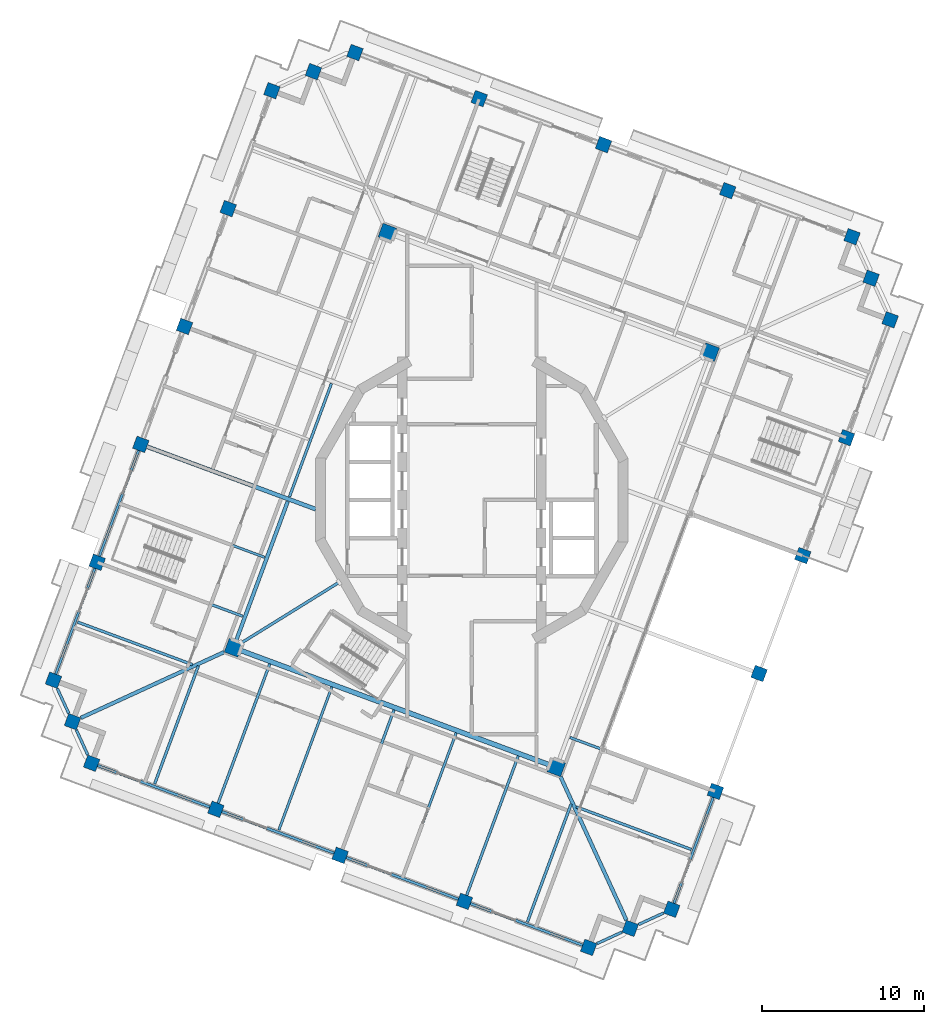
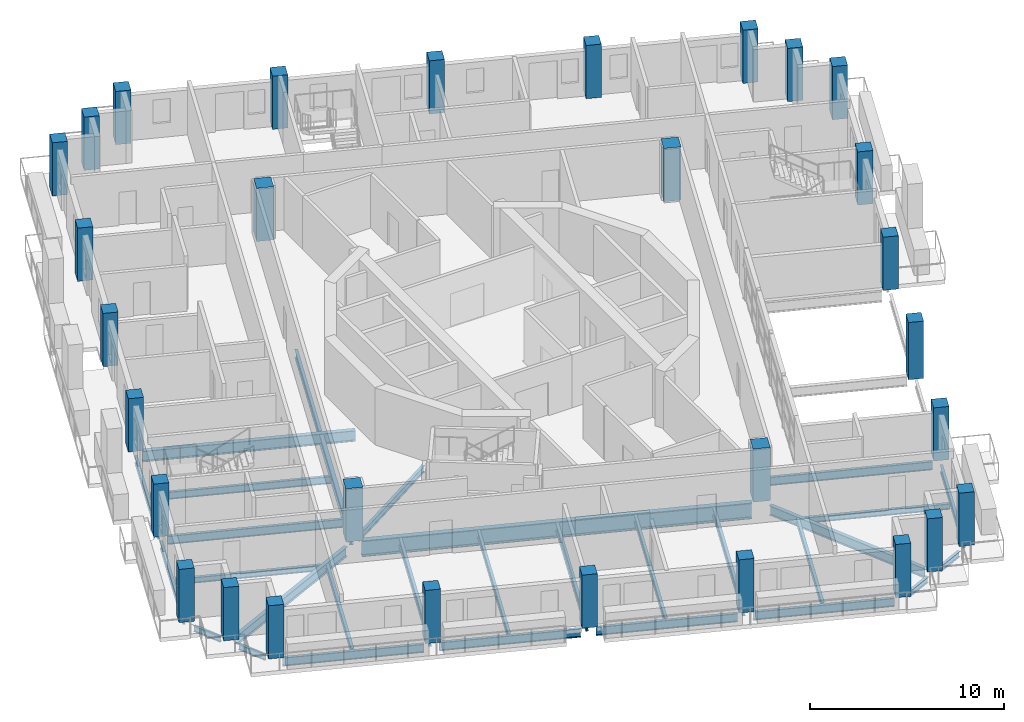
# One storey, part 1 of 19: 30 beams, 30 columns.
"""IFC4 building model written with IfcOpenShell, lengths in metres."""

from ifc_helpers import new_model, si_unit, direction, frame, origin, origin_2d, place, context, subcontext, project, spatial, rectangle, i_section, extrude, material, material_profile, profile_set, type_object, element, save


model = new_model("IFC4")

# Units and contexts
model_context = context("Model", 3, precision=1e-05, world=origin(), true_north=direction((0.0, 1.0)))
body_context = subcontext(model_context, "Body", "Model", "MODEL_VIEW")
ifc_project = project(units=[si_unit("LENGTHUNIT", "METRE"), si_unit("AREAUNIT", "SQUARE_METRE"), si_unit("VOLUMEUNIT", "CUBIC_METRE"), si_unit("PLANEANGLEUNIT", "RADIAN"), si_unit("MASSUNIT", "GRAM", prefix="KILO")], contexts=[model_context])

# Site, building, storey
site_placement = place(None, origin())
site = spatial("IfcSite", under=ifc_project, at=site_placement, CompositionType="ELEMENT")
building_placement = place(site_placement, origin())
building = spatial("IfcBuilding", under=site, at=building_placement, Name="Cantera Rosa Tower", CompositionType="ELEMENT")
storey_placement = place(building_placement, frame((0.0, 0.0, 334.89990234375)))
storey = spatial("IfcBuildingStorey", under=building, at=storey_placement, Name="L75", CompositionType="ELEMENT", Elevation=334.89990234375)

# Columns
ifc_material_1 = material(Name="Concrete C50/60", Category="concrete")
ifc_material_profile_1 = material_profile(ifc_material_1, rectangle(XDim=0.800048828125, YDim=0.800048828125, at=origin_2d()), Name="RC COLUMN RC800X800 C50/60")
ifc_profile_set_1 = profile_set([ifc_material_profile_1], Name="Concrete C50/60")
column_type_1 = type_object("IfcColumnType", Name="RC COLUMN RC800X800 C50/60", PredefinedType="COLUMN", material=ifc_profile_set_1)
for number, where, z_axis, x_axis, name in (
    (1, (23.526611328125, 16.2900390625, 0.0), (0.0, 0.0, 1.0), (0.347481234489, 0.937686936924, 0.0), "C-Z6-01 L75"),
    (2, (15.83740234375, 19.139404296875, 0.0), (0.0, 0.0, 1.0), (0.347481234489, 0.937686936924, 0.0), "C-Z6-02 L75"),
    (3, (8.1484375, 21.98876953125, 0.0), (0.0, 0.0, 1.0), (0.347481234489, 0.937686936924, 0.0), "C-Z6-03 L75"),
    (4, (0.45947265625, 24.838134765625, 0.0), (0.0, 0.0, 1.0), (0.347481234489, 0.937686936924, 0.0), "C-Z6-04 L75"),
    (5, (-7.229736328125, 27.6875, 0.0), (0.0, 0.0, 1.0), (0.347481234489, 0.937686936924, 0.0), "C-Z6-05 L75"),
    (6, (-9.800048828125, 26.507080078125, 0.0), (0.0, 0.0, 1.0), (0.347481234489, 0.937686936924, 0.0), "C-Z6-06 L75"),
    (7, (-12.370361328125, 25.32666015625, 0.0), (0.0, 0.0, 1.0), (0.347481234489, 0.937686936924, 0.0), "C-Z6-07 L75"),
    (8, (-15.07373046875, 18.031494140625, 0.0), (0.0, 0.0, 1.0), (0.347481234489, 0.937686936924, 0.0), "C-Z6-08 L75"),
    (9, (-17.777099609375, 10.736328125, 0.0), (0.0, 0.0, 1.0), (0.347481234489, 0.937686936924, 0.0), "C-Z6-09 L75"),
    (10, (-20.48046875, 3.44091796875, 0.0), (0.0, 0.0, 1.0), (0.347481234489, 0.937686936924, 0.0), "C-Z6-10 L75"),
    (11, (-23.183837890625, -3.854248046875, 0.0), (0.0, 0.0, 1.0), (0.347481234489, 0.937686936924, 0.0), "C-Z6-11 L75"),
    (12, (-25.88720703125, -11.1494140625, 0.0), (0.0, 0.0, 1.0), (0.347481234489, 0.937686936924, 0.0), "C-Z6-12 L75"),
    (13, (-24.70703125, -13.7197265625, 0.0), (0.0, 0.0, 1.0), (0.347481234489, 0.937686936924, 0.0), "C-Z6-13 L75"),
    (14, (-23.526611328125, -16.2900390625, 0.0), (0.0, 0.0, 1.0), (0.347481234489, 0.937686936924, 0.0), "C-Z6-14 L75"),
    (15, (-15.83740234375, -19.139404296875, 0.0), (0.0, 0.0, 1.0), (0.347481234489, 0.937686936924, 0.0), "C-Z6-15 L75"),
    (16, (-8.1484375, -21.98876953125, 0.0), (0.0, 0.0, 1.0), (0.347481234489, 0.937686936924, 0.0), "C-Z6-16 L75"),
    (17, (-0.45947265625, -24.838134765625, 0.0), (0.0, 0.0, 1.0), (0.347481234489, 0.937686936924, 0.0), "C-Z6-17 L75"),
    (18, (7.229736328125, -27.6875, 0.0), (0.0, 0.0, 1.0), (0.347481234489, 0.937686936924, 0.0), "C-Z6-18 L75"),
    (19, (9.800048828125, -26.507080078125, 0.0), (0.0, 0.0, 1.0), (0.347481234489, 0.937686936924, 0.0), "C-Z6-19 L75"),
    (20, (12.370361328125, -25.32666015625, 0.0), (0.0, 0.0, 1.0), (0.347481234489, 0.937686936924, 0.0), "C-Z6-20 L75"),
    (21, (15.07373046875, -18.031494140625, 0.0), (0.0, 0.0, 1.0), (0.347481234489, 0.937686936924, 0.0), "C-Z6-21 L75"),
):
    element("IfcColumn", number, at=place(storey_placement, frame(where, z_axis=z_axis, x_axis=x_axis)), inside=storey, type_object=column_type_1, Name=name, PredefinedType="COLUMN", context=body_context, shape_type="SweptSolid", body=[
        extrude(rectangle(XDim=0.800048828125, YDim=0.800048828125, at=origin_2d()), origin(), (0.0, 0.0, 1.0), 3.35009765625),
    ])
column_placement = place(storey_placement, frame((17.777099609375, -10.736328125, -0.25), z_axis=(0.0, 0.0, 1.0), x_axis=(0.347481234489, 0.937686936924, 0.0)))
element("IfcColumn", 22, at=column_placement, inside=storey, type_object=column_type_1, Name="C-Z6-22 L75", PredefinedType="COLUMN", context=body_context, shape_type="SweptSolid", body=[
    extrude(rectangle(XDim=0.800048828125, YDim=0.800048828125, at=origin_2d()), origin(), (0.0, 0.0, 1.0), 3.60009765625),
])
for number, where, z_axis, x_axis, name in (
    (23, (20.48046875, -3.44091796875, 0.0), (0.0, 0.0, 1.0), (0.347481234489, 0.937686936924, 0.0), "C-Z6-23 L75"),
    (24, (23.183837890625, 3.854248046875, 0.0), (0.0, 0.0, 1.0), (0.347481234489, 0.937686936924, 0.0), "C-Z6-24 L75"),
    (25, (25.88720703125, 11.1494140625, 0.0), (0.0, 0.0, 1.0), (0.347481234489, 0.937686936924, 0.0), "C-Z6-25 L75"),
    (26, (24.70703125, 13.7197265625, 0.0), (0.0, 0.0, 1.0), (0.347481234489, 0.937686936924, 0.0), "C-Z6-26 L75"),
):
    element("IfcColumn", number, at=place(storey_placement, frame(where, z_axis=z_axis, x_axis=x_axis)), inside=storey, type_object=column_type_1, Name=name, PredefinedType="COLUMN", context=body_context, shape_type="SweptSolid", body=[
        extrude(rectangle(XDim=0.800048828125, YDim=0.800048828125, at=origin_2d()), origin(), (0.0, 0.0, 1.0), 3.35009765625),
    ])
ifc_material_2 = material(Name="Concrete C50/60", Category="concrete")
ifc_material_profile_2 = material_profile(ifc_material_2, rectangle(XDim=0.89990234375, YDim=0.89990234375, at=origin_2d()), Name="RC RING COLUMN RC900X900 C50/60")
ifc_profile_set_2 = profile_set([ifc_material_profile_2], Name="Concrete C50/60")
column_type_2 = type_object("IfcColumnType", Name="RC RING COLUMN RC900X900 C50/60", PredefinedType="COLUMN", material=ifc_profile_set_2)
for number, where, z_axis, x_axis, name in (
    (27, (-5.225830078125, 16.546875, 0.0), (0.0, 0.0, 1.0), (0.347481234489, 0.937686936924, 0.0), "CI-Z6-1 L75"),
    (28, (-14.746826171875, -9.145751953125, 0.0), (0.0, 0.0, 1.0), (0.347481234489, 0.937686936924, 0.0), "CI-Z6-2 L75"),
    (29, (5.225830078125, -16.546875, 0.0), (0.0, 0.0, 1.0), (0.347481234489, 0.937686936924, 0.0), "CI-Z6-3 L75"),
    (30, (14.746826171875, 9.145751953125, 0.0), (0.0, 0.0, 1.0), (0.347481234489, 0.937686936924, 0.0), "CI-Z6-4 L75"),
):
    element("IfcColumn", number, at=place(storey_placement, frame(where, z_axis=z_axis, x_axis=x_axis)), inside=storey, type_object=column_type_2, Name=name, PredefinedType="COLUMN", context=body_context, shape_type="SweptSolid", body=[
        extrude(rectangle(XDim=0.89990234375, YDim=0.89990234375, at=origin_2d()), origin(), (0.0, 0.0, 1.0), 3.35009765625),
    ])

# Beams
ifc_material_3 = material(Name="Steel ASTM A992 (Fy 345 MPa)", Category="steel")
ifc_material_profile_3 = material_profile(ifc_material_3, i_section(OverallWidth=0.302001953125, OverallDepth=1.010009765625, WebThickness=0.02099609375, FlangeThickness=0.0400390625, FilletRadius=0.030029296875, at=origin_2d()), Name="W1000X350")
ifc_profile_set_3 = profile_set([ifc_material_profile_3], Name="Steel ASTM A992 (Fy 345 MPa)")
beam_type_1 = type_object("IfcBeamType", Name="STEEL BEAM W1000X350", PredefinedType="BEAM", material=ifc_profile_set_3)
beam_1_placement = place(storey_placement, frame((4.803955078125, -16.390625, -0.7548828125), z_axis=(-0.937687392162, 0.347480006017, 0.0), x_axis=(-0.347480006017, -0.937687392162, 0.0)))
element("IfcBeam", 31, at=beam_1_placement, inside=storey, type_object=beam_type_1, Name="RB-Z6-08 L75", PredefinedType="BEAM", context=body_context, shape_type="SweptSolid", body=[
    extrude(i_section(OverallWidth=0.302001953125, OverallDepth=1.010009765625, WebThickness=0.02099609375, FlangeThickness=0.0400390625, FilletRadius=0.030029296875, at=origin_2d()), origin(), (0.0, 0.0, 1.0), 20.400146484375),
])
ifc_material_4 = material(Name="Steel ASTM A992 (Fy 345 MPa)", Category="steel")
ifc_material_profile_4 = material_profile(ifc_material_4, i_section(OverallWidth=0.177978515625, OverallDepth=0.406005859375, WebThickness=0.0078125, FlangeThickness=0.0126953125, FilletRadius=0.01025390625, at=origin_2d()), Name="W410X60")
ifc_profile_set_4 = profile_set([ifc_material_profile_4], Name="Steel ASTM A992 (Fy 345 MPa)")
beam_type_2 = type_object("IfcBeamType", Name="STEEL BEAM W410X60", PredefinedType="BEAM", material=ifc_profile_set_4)
beam_2_placement = place(storey_placement, frame((-14.262451171875, -8.84521484375, -0.452880859375), z_axis=(0.849840939707, 0.527039255841, 0.0), x_axis=(-0.527039255841, 0.849840939707, 0.0)))
element("IfcBeam", 32, at=beam_2_placement, inside=storey, type_object=beam_type_2, Name="PG-Z6-01 L75", PredefinedType="BEAM", context=body_context, shape_type="SweptSolid", body=[
    extrude(i_section(OverallWidth=0.177978515625, OverallDepth=0.406005859375, WebThickness=0.0078125, FlangeThickness=0.0126953125, FilletRadius=0.01025390625, at=origin_2d()), origin(), (0.0, 0.0, 1.0), 7.118408203125),
])
ifc_material_5 = material(Name="Steel ASTM A992 (Fy 345 MPa)", Category="steel")
ifc_material_profile_5 = material_profile(ifc_material_5, i_section(OverallWidth=0.166015625, OverallDepth=0.528076171875, WebThickness=0.009765625, FlangeThickness=0.013671875, FilletRadius=0.0126953125, at=origin_2d()), Name="W530X74")
ifc_profile_set_5 = profile_set([ifc_material_profile_5], Name="Steel ASTM A992 (Fy 345 MPa)")
beam_type_3 = type_object("IfcBeamType", Name="STEEL BEAM W530X74", PredefinedType="BEAM", material=ifc_profile_set_5)
for number, where, z_axis, x_axis, name in (
    (33, (-22.808837890625, -3.9931640625, -0.513916015625), (0.937688566, -0.347476838353, 0.0), (0.347476838353, 0.937688566, 0.0), "G-Z6-07 L75"),
    (34, (14.69873046875, -17.892333984375, -0.513916015625), (-0.937688566, 0.347476838353, 0.0), (-0.347476838353, -0.937688566, 0.0), "G-Z6-08 L75"),
    (35, (-15.698486328125, -18.764404296875, -0.513916015625), (0.347476838353, 0.937688566, 0.0), (-0.937688566, 0.347476838353, 0.0), "G-Z6-12 L75"),
    (36, (-8.009521484375, -21.61376953125, -0.513916015625), (0.34750017104, 0.937679919337, 0.0), (-0.937679919337, 0.34750017104, 0.0), "G-Z6-13 L75"),
    (37, (-0.3203125, -24.463134765625, -0.513916015625), (0.347476838353, 0.937688566, 0.0), (-0.937688566, 0.347476838353, 0.0), "G-Z6-14 L75"),
):
    element("IfcBeam", number, at=place(storey_placement, frame(where, z_axis=z_axis, x_axis=x_axis)), inside=storey, type_object=beam_type_3, Name=name, PredefinedType="BEAM", context=body_context, shape_type="SweptSolid", body=[
        extrude(i_section(OverallWidth=0.166015625, OverallDepth=0.528076171875, WebThickness=0.009765625, FlangeThickness=0.013671875, FilletRadius=0.0126953125, at=origin_2d()), origin(), (0.0, 0.0, 1.0), 9.199951171875),
    ])
beam_3_placement = place(storey_placement, frame((-11.285888671875, 0.19384765625, -0.513916015625), z_axis=(0.347486566882, 0.937684960867, 0.0), x_axis=(-0.937684960867, 0.347486566882, 0.0)))
element("IfcBeam", 38, at=beam_3_placement, inside=storey, type_object=beam_type_3, Name="RB-Z6-02 L75", PredefinedType="BEAM", context=body_context, shape_type="SweptSolid", body=[
    extrude(i_section(OverallWidth=0.166015625, OverallDepth=0.528076171875, WebThickness=0.009765625, FlangeThickness=0.013671875, FilletRadius=0.0126953125, at=origin_2d()), origin(), (0.0, 0.0, 1.0), 7.479736328125),
])
ifc_material_6 = material(Name="Steel ASTM A992 (Fy 345 MPa)", Category="steel")
ifc_material_profile_6 = material_profile(ifc_material_6, i_section(OverallWidth=0.22802734375, OverallDepth=0.60205078125, WebThickness=0.010498046875, FlangeThickness=0.014892578125, FilletRadius=0.0126953125, at=origin_2d()), Name="W610X101")
ifc_profile_set_6 = profile_set([ifc_material_profile_6], Name="Steel ASTM A992 (Fy 345 MPa)")
beam_type_4 = type_object("IfcBeamType", Name="STEEL BEAM W610X101", PredefinedType="BEAM", material=ifc_profile_set_6)
for number, where, z_axis, x_axis, name in (
    (39, (-24.19287109375, -13.483642578125, -0.55078125), (0.908747889595, 0.417345508131, 0.0), (-0.417345508131, 0.908747889595, 0.0), "CB-Z6-02 L75"),
    (40, (9.56396484375, -25.992919921875, -0.55078125), (-0.417345508131, 0.908747889595, 0.0), (-0.908747889595, -0.417345508131, 0.0), "CB-Z6-03 L75"),
):
    element("IfcBeam", number, at=place(storey_placement, frame(where, z_axis=z_axis, x_axis=x_axis)), inside=storey, type_object=beam_type_4, Name=name, PredefinedType="BEAM", context=body_context, shape_type="SweptSolid", body=[
        extrude(i_section(OverallWidth=0.22802734375, OverallDepth=0.60205078125, WebThickness=0.010498046875, FlangeThickness=0.014892578125, FilletRadius=0.0126953125, at=origin_2d()), origin(), (0.0, 0.0, 1.0), 9.758056640625),
    ])
beam_4_placement = place(storey_placement, frame((-14.590576171875, -8.7236328125, -0.55078125), z_axis=(0.347498244979, 0.937680633125, 0.0), x_axis=(-0.937680633125, 0.347498244979, 0.0)))
element("IfcBeam", 41, at=beam_4_placement, inside=storey, type_object=beam_type_4, Name="RB-Z6-01 L75", PredefinedType="BEAM", context=body_context, shape_type="SweptSolid", body=[
    extrude(i_section(OverallWidth=0.22802734375, OverallDepth=0.60205078125, WebThickness=0.010498046875, FlangeThickness=0.014892578125, FilletRadius=0.0126953125, at=origin_2d()), origin(), (0.0, 0.0, 1.0), 9.2099609375),
])
ifc_material_7 = material(Name="Steel ASTM A992 (Fy 345 MPa)", Category="steel")
ifc_material_profile_7 = material_profile(ifc_material_7, i_section(OverallWidth=0.25390625, OverallDepth=0.677978515625, WebThickness=0.01171875, FlangeThickness=0.016357421875, FilletRadius=0.01513671875, at=origin_2d()), Name="W690X125")
ifc_profile_set_7 = profile_set([ifc_material_profile_7], Name="Steel ASTM A992 (Fy 345 MPa)")
beam_type_5 = type_object("IfcBeamType", Name="STEEL BEAM W690X125", PredefinedType="BEAM", material=ifc_profile_set_7)
beam_5_placement = place(storey_placement, frame((-20.10546875, 3.302001953125, -0.5888671875), z_axis=(0.937687416585, -0.347479940109, 0.0), x_axis=(0.347479940109, 0.937687416585, 0.0)))
element("IfcBeam", 42, at=beam_5_placement, inside=storey, type_object=beam_type_5, Name="G-Z6-06 L75", PredefinedType="BEAM", context=body_context, shape_type="SweptSolid", body=[
    extrude(i_section(OverallWidth=0.25390625, OverallDepth=0.677978515625, WebThickness=0.01171875, FlangeThickness=0.016357421875, FilletRadius=0.01513671875, at=origin_2d()), origin(), (0.0, 0.0, 1.0), 11.140380859375),
])
ifc_material_8 = material(Name="Steel ASTM A992 (Fy 345 MPa)", Category="steel")
ifc_material_profile_8 = material_profile(ifc_material_8, i_section(OverallWidth=0.1708984375, OverallDepth=0.35595703125, WebThickness=0.00732421875, FlangeThickness=0.01171875, FilletRadius=0.010009765625, at=origin_2d()), Name="W360X51")
ifc_profile_set_8 = profile_set([ifc_material_profile_8], Name="Steel ASTM A992 (Fy 345 MPa)")
beam_type_6 = type_object("IfcBeamType", Name="STEEL JOIST W360X51", PredefinedType="JOIST", material=ifc_profile_set_8)
beam_6_placement = place(storey_placement, frame((-24.39501953125, -7.553955078125, -0.427978515625), z_axis=(0.937686277131, -0.347483014951, 0.0), x_axis=(0.347483014951, 0.937686277131, 0.0)))
element("IfcBeam", 43, at=beam_6_placement, inside=storey, type_object=beam_type_6, Name="B-Z6-09 L75", PredefinedType="JOIST", context=body_context, shape_type="SweptSolid", body=[
    extrude(i_section(OverallWidth=0.1708984375, OverallDepth=0.35595703125, WebThickness=0.00732421875, FlangeThickness=0.01171875, FilletRadius=0.010009765625, at=origin_2d()), origin(), (0.0, 0.0, 1.0), 7.590087890625),
])
beam_7_placement = place(storey_placement, frame((13.581298828125, -21.626953125, -0.427978515625), z_axis=(-0.93768239316, 0.347493495705, 0.0), x_axis=(-0.347493495705, -0.93768239316, 0.0)))
element("IfcBeam", 44, at=beam_7_placement, inside=storey, type_object=beam_type_6, Name="B-Z6-10 L75", PredefinedType="JOIST", context=body_context, shape_type="SweptSolid", body=[
    extrude(i_section(OverallWidth=0.1708984375, OverallDepth=0.35595703125, WebThickness=0.00732421875, FlangeThickness=0.01171875, FilletRadius=0.010009765625, at=origin_2d()), origin(), (0.0, 0.0, 1.0), 7.58984375),
])
for number, where, z_axis, x_axis, name in (
    (45, (-19.6298828125, -17.573974609375, -0.427978515625), (0.347491728417, 0.937683048093, 0.0), (-0.937683048093, 0.347491728417, 0.0), "B-Z6-15 L75"),
    (46, (3.437255859375, -26.1220703125, -0.427978515625), (0.347491728417, 0.937683048093, 0.0), (-0.937683048093, 0.347491728417, 0.0), "B-Z6-18 L75"),
):
    element("IfcBeam", number, at=place(storey_placement, frame(where, z_axis=z_axis, x_axis=x_axis)), inside=storey, type_object=beam_type_6, Name=name, PredefinedType="JOIST", context=body_context, shape_type="SweptSolid", body=[
        extrude(i_section(OverallWidth=0.1708984375, OverallDepth=0.35595703125, WebThickness=0.00732421875, FlangeThickness=0.01171875, FilletRadius=0.010009765625, at=origin_2d()), origin(), (0.0, 0.0, 1.0), 7.800048828125),
    ])
ifc_material_9 = material(Name="Steel ASTM A992 (Fy 345 MPa)", Category="steel")
ifc_material_profile_9 = material_profile(ifc_material_9, i_section(OverallWidth=0.154052734375, OverallDepth=0.4599609375, WebThickness=0.009033203125, FlangeThickness=0.015380859375, FilletRadius=0.01025390625, at=origin_2d()), Name="W460X68")
ifc_profile_set_9 = profile_set([ifc_material_profile_9], Name="Steel ASTM A992 (Fy 345 MPa)")
beam_type_7 = type_object("IfcBeamType", Name="STEEL JOIST W460X68", PredefinedType="JOIST", material=ifc_profile_set_9)
beam_8_placement = place(storey_placement, frame((-21.691650390625, -0.2587890625, -0.47998046875), z_axis=(0.937689536508, -0.347474219364, 0.0), x_axis=(0.347474219364, 0.937689536508, 0.0)))
element("IfcBeam", 47, at=beam_8_placement, inside=storey, type_object=beam_type_7, Name="B-Z6-08 L75", PredefinedType="JOIST", context=body_context, shape_type="SweptSolid", body=[
    extrude(i_section(OverallWidth=0.154052734375, OverallDepth=0.4599609375, WebThickness=0.009033203125, FlangeThickness=0.015380859375, FilletRadius=0.01025390625, at=origin_2d()), origin(), (0.0, 0.0, 1.0), 9.4501953125),
])
for number, where, z_axis, x_axis, name in (
    (48, (-11.94091796875, -20.42333984375, -0.47998046875), (0.347482637031, 0.937686417179, 0.0), (-0.937686417179, 0.347482637031, 0.0), "B-Z6-16 L75"),
    (49, (-4.251708984375, -23.272705078125, -0.47998046875), (0.347482637031, 0.937686417179, 0.0), (-0.937686417179, 0.347482637031, 0.0), "B-Z6-17 L75"),
):
    element("IfcBeam", number, at=place(storey_placement, frame(where, z_axis=z_axis, x_axis=x_axis)), inside=storey, type_object=beam_type_7, Name=name, PredefinedType="JOIST", context=body_context, shape_type="SweptSolid", body=[
        extrude(i_section(OverallWidth=0.154052734375, OverallDepth=0.4599609375, WebThickness=0.009033203125, FlangeThickness=0.015380859375, FilletRadius=0.01025390625, at=origin_2d()), origin(), (0.0, 0.0, 1.0), 9.449951171875),
    ])
ifc_material_10 = material(Name="Steel ASTM A992 (Fy 345 MPa)", Category="steel")
ifc_material_profile_10 = material_profile(ifc_material_10, i_section(OverallWidth=0.1708984375, OverallDepth=0.35595703125, WebThickness=0.00732421875, FlangeThickness=0.01171875, FilletRadius=0.010009765625, at=origin_2d()), Name="W360X51")
ifc_profile_set_10 = profile_set([ifc_material_profile_10], Name="Steel ASTM A992 (Fy 345 MPa)")
beam_type_8 = type_object("IfcBeamType", Name="STEEL SPANDREL BEAM W360X51", PredefinedType="SPANDREL", material=ifc_profile_set_10)
for number, where, z_axis, x_axis, name in (
    (50, (-25.651123046875, -11.66357421875, -0.427978515625), (0.417268968709, -0.908783036677, 0.0), (0.908783036677, 0.417268968709, 0.0), "EB-Z6-12 L75"),
    (51, (-24.470947265625, -14.23388671875, -0.427978515625), (0.417387791404, -0.908728469669, 0.0), (0.908728469669, 0.417387791404, 0.0), "EB-Z6-13 L75"),
):
    element("IfcBeam", number, at=place(storey_placement, frame(where, z_axis=z_axis, x_axis=x_axis)), inside=storey, type_object=beam_type_8, Name=name, PredefinedType="SPANDREL", context=body_context, shape_type="SweptSolid", body=[
        extrude(i_section(OverallWidth=0.1708984375, OverallDepth=0.35595703125, WebThickness=0.00732421875, FlangeThickness=0.01171875, FilletRadius=0.010009765625, at=origin_2d()), origin(), (0.0, 0.0, 1.0), 1.69677734375),
    ])
for number, where, z_axis, x_axis, name in (
    (52, (7.74365234375, -27.451416015625, -0.427978515625), (0.908753529973, 0.417333226286, 0.0), (-0.417333226286, 0.908753529973, 0.0), "EB-Z6-18 L75"),
    (53, (10.31396484375, -26.27099609375, -0.427978515625), (0.908753529973, 0.417333226286, 0.0), (-0.417333226286, 0.908753529973, 0.0), "EB-Z6-19 L75"),
):
    element("IfcBeam", number, at=place(storey_placement, frame(where, z_axis=z_axis, x_axis=x_axis)), inside=storey, type_object=beam_type_8, Name=name, PredefinedType="SPANDREL", context=body_context, shape_type="SweptSolid", body=[
        extrude(i_section(OverallWidth=0.1708984375, OverallDepth=0.35595703125, WebThickness=0.00732421875, FlangeThickness=0.01171875, FilletRadius=0.010009765625, at=origin_2d()), origin(), (0.0, 0.0, 1.0), 1.697021484375),
    ])
ifc_material_11 = material(Name="Steel ASTM A992 (Fy 345 MPa)", Category="steel")
ifc_material_profile_11 = material_profile(ifc_material_11, i_section(OverallWidth=0.154052734375, OverallDepth=0.4599609375, WebThickness=0.009033203125, FlangeThickness=0.015380859375, FilletRadius=0.01025390625, at=origin_2d()), Name="W460X68")
ifc_profile_set_11 = profile_set([ifc_material_profile_11], Name="Steel ASTM A992 (Fy 345 MPa)")
beam_type_9 = type_object("IfcBeamType", Name="STEEL SPANDREL BEAM W460X68", PredefinedType="SPANDREL", material=ifc_profile_set_11)
beam_9_placement = place(storey_placement, frame((-20.61962890625, 3.06591796875, -0.47998046875), z_axis=(-0.347471562124, -0.937690521182, 0.0), x_axis=(0.937690521182, -0.347471562124, 0.0)))
element("IfcBeam", 54, at=beam_9_placement, inside=storey, type_object=beam_type_9, Name="EB-Z6-10 L75", PredefinedType="SPANDREL", context=body_context, shape_type="SweptSolid", body=[
    extrude(i_section(OverallWidth=0.154052734375, OverallDepth=0.4599609375, WebThickness=0.009033203125, FlangeThickness=0.015380859375, FilletRadius=0.01025390625, at=origin_2d()), origin(), (0.0, 0.0, 1.0), 6.979736328125),
])
beam_10_placement = place(storey_placement, frame((-23.322998046875, -4.229248046875, -0.47998046875), z_axis=(-0.347460165909, -0.937694744097, 0.0), x_axis=(0.937694744097, -0.347460165909, 0.0)))
element("IfcBeam", 55, at=beam_10_placement, inside=storey, type_object=beam_type_9, Name="EB-Z6-11 L75", PredefinedType="SPANDREL", context=body_context, shape_type="SweptSolid", body=[
    extrude(i_section(OverallWidth=0.154052734375, OverallDepth=0.4599609375, WebThickness=0.009033203125, FlangeThickness=0.015380859375, FilletRadius=0.01025390625, at=origin_2d()), origin(), (0.0, 0.0, 1.0), 6.97998046875),
])
beam_11_placement = place(storey_placement, frame((12.50927734375, -24.95166015625, -0.47998046875), z_axis=(0.347490919506, 0.937683347864, 0.0), x_axis=(-0.937683347864, 0.347490919506, 0.0)))
element("IfcBeam", 56, at=beam_11_placement, inside=storey, type_object=beam_type_9, Name="EB-Z6-20 L75", PredefinedType="SPANDREL", context=body_context, shape_type="SweptSolid", body=[
    extrude(i_section(OverallWidth=0.154052734375, OverallDepth=0.4599609375, WebThickness=0.009033203125, FlangeThickness=0.015380859375, FilletRadius=0.01025390625, at=origin_2d()), origin(), (0.0, 0.0, 1.0), 6.980224609375),
])
ifc_material_12 = material(Name="Steel ASTM A992 (Fy 345 MPa)", Category="steel")
ifc_material_profile_12 = material_profile(ifc_material_12, i_section(OverallWidth=0.166015625, OverallDepth=0.528076171875, WebThickness=0.009765625, FlangeThickness=0.013671875, FilletRadius=0.0126953125, at=origin_2d()), Name="W530X74")
ifc_profile_set_12 = profile_set([ifc_material_profile_12], Name="Steel ASTM A992 (Fy 345 MPa)")
beam_type_10 = type_object("IfcBeamType", Name="STEEL SPANDREL BEAM W530X74", PredefinedType="SPANDREL", material=ifc_profile_set_12)
beam_12_placement = place(storey_placement, frame((-23.1513671875, -16.428955078125, -0.513916015625), z_axis=(0.937676706507, -0.347508840281, 0.0), x_axis=(0.347508840281, 0.937676706507, 0.0)))
element("IfcBeam", 57, at=beam_12_placement, inside=storey, type_object=beam_type_10, Name="EB-Z6-14 L75", PredefinedType="SPANDREL", context=body_context, shape_type="SweptSolid", body=[
    extrude(i_section(OverallWidth=0.166015625, OverallDepth=0.528076171875, WebThickness=0.009765625, FlangeThickness=0.013671875, FilletRadius=0.0126953125, at=origin_2d()), origin(), (0.0, 0.0, 1.0), 7.39990234375),
])
for number, where, z_axis, x_axis, name in (
    (58, (-15.46240234375, -19.2783203125, -0.513916015625), (0.937680690562, -0.34749808999, 0.0), (0.34749808999, 0.937680690562, 0.0), "EB-Z6-15 L75"),
    (59, (-7.7734375, -22.127685546875, -0.513916015625), (0.937680690562, -0.34749808999, 0.0), (0.34749808999, 0.937680690562, 0.0), "EB-Z6-16 L75"),
):
    element("IfcBeam", number, at=place(storey_placement, frame(where, z_axis=z_axis, x_axis=x_axis)), inside=storey, type_object=beam_type_10, Name=name, PredefinedType="SPANDREL", context=body_context, shape_type="SweptSolid", body=[
        extrude(i_section(OverallWidth=0.166015625, OverallDepth=0.528076171875, WebThickness=0.009765625, FlangeThickness=0.013671875, FilletRadius=0.0126953125, at=origin_2d()), origin(), (0.0, 0.0, 1.0), 7.400146484375),
    ])
beam_13_placement = place(storey_placement, frame((-0.084228515625, -24.97705078125, -0.513916015625), z_axis=(0.937687456783, -0.347479831633, 0.0), x_axis=(0.347479831633, 0.937687456783, 0.0)))
element("IfcBeam", 60, at=beam_13_placement, inside=storey, type_object=beam_type_10, Name="EB-Z6-17 L75", PredefinedType="SPANDREL", context=body_context, shape_type="SweptSolid", body=[
    extrude(i_section(OverallWidth=0.166015625, OverallDepth=0.528076171875, WebThickness=0.009765625, FlangeThickness=0.013671875, FilletRadius=0.0126953125, at=origin_2d()), origin(), (0.0, 0.0, 1.0), 7.39990234375),
])

save(model, "model.ifc")
